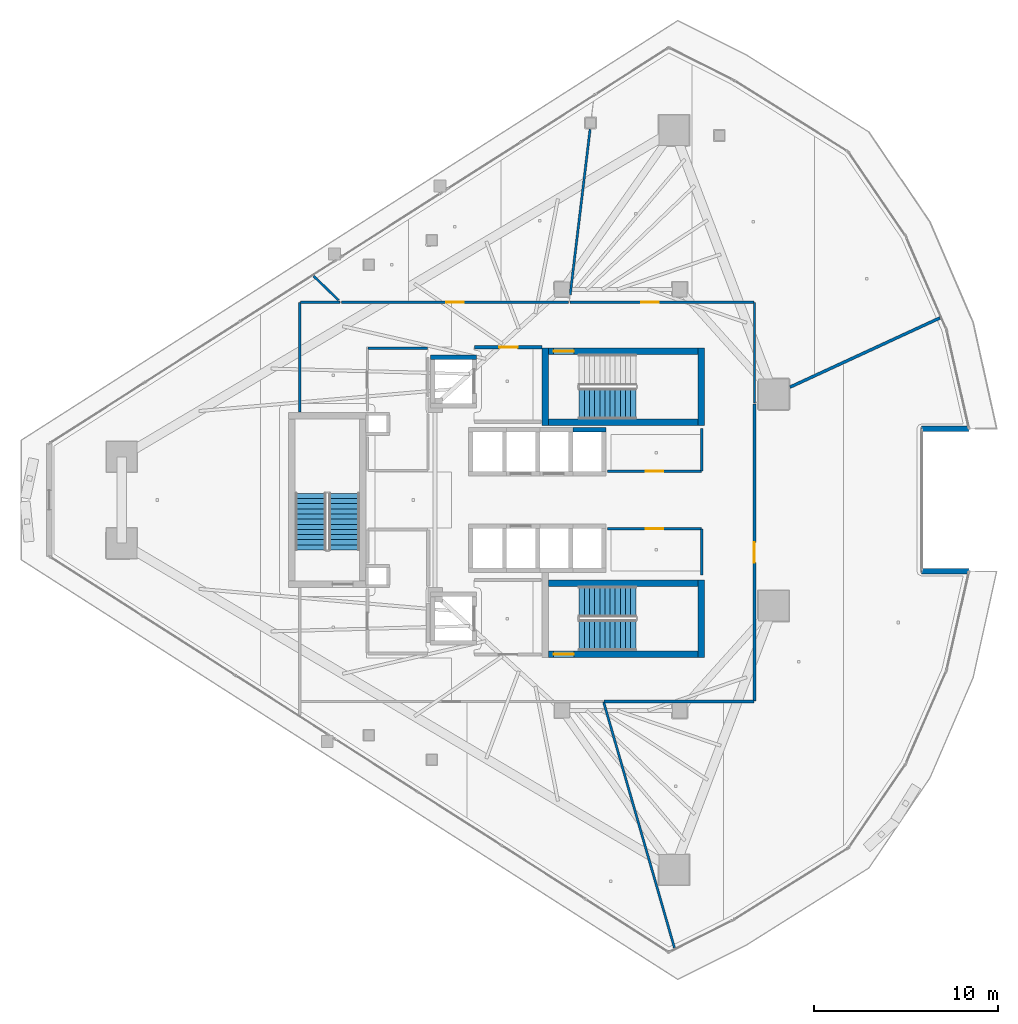
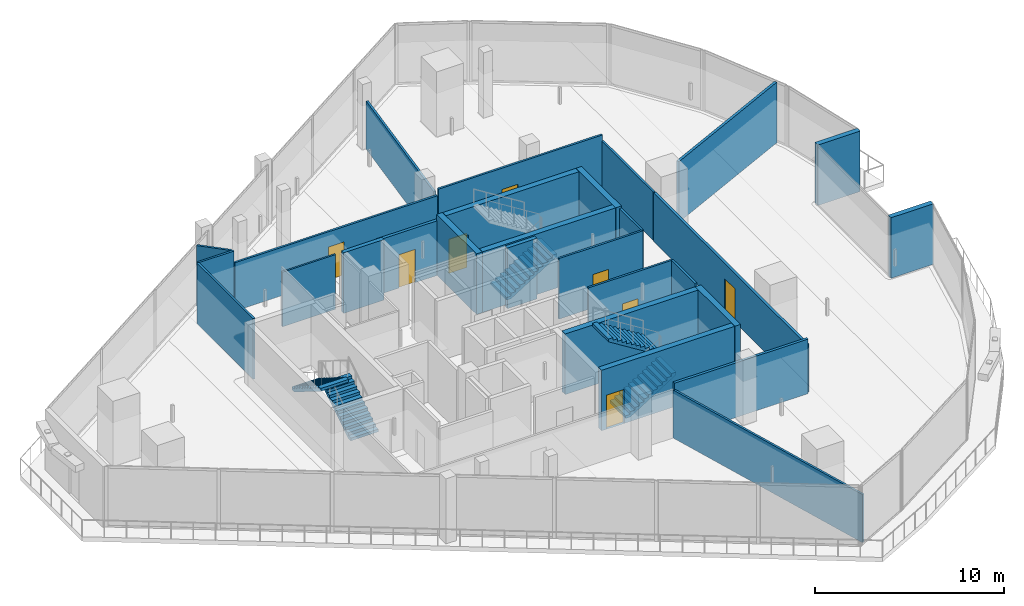
# One storey, part 22 of 31: 28 walls, 8 doors, 5 stair flights, 8 openings, 3 elements without a shape of their own.
"""IFC4 building model written with IfcOpenShell, lengths in metres."""

from ifc_helpers import new_model, si_unit, direction, frame, frame_2d, origin, place, context, subcontext, project, spatial, polyline, rectangle, outline, extrude, material, layer, layer_set, type_object, element, fill, aggregate, save


model = new_model("IFC4")

# Units and contexts
model_context = context("Model", 3, precision=1e-05, world=origin(), true_north=direction((0.0, 1.0)))
body_context = subcontext(model_context, "Body", "Model", "MODEL_VIEW")
ifc_project = project(units=[si_unit("LENGTHUNIT", "METRE"), si_unit("AREAUNIT", "SQUARE_METRE"), si_unit("VOLUMEUNIT", "CUBIC_METRE"), si_unit("PLANEANGLEUNIT", "RADIAN"), si_unit("MASSUNIT", "GRAM", prefix="KILO")], contexts=[model_context])

# Site, building, storey
site_placement = place(None, origin())
site = spatial("IfcSite", under=ifc_project, at=site_placement, CompositionType="ELEMENT")
building_placement = place(site_placement, origin())
building = spatial("IfcBuilding", under=site, at=building_placement, Name="Qorvath Tower", CompositionType="ELEMENT")
storey_placement = place(building_placement, frame((0.0, 0.0, 259.800048828125)))
storey = spatial("IfcBuildingStorey", under=building, at=storey_placement, Name="L60", CompositionType="ELEMENT", Elevation=259.800048828125)

# Wall, opening, door
ifc_material_1 = material(Name="Gypsum shaftliner on steel studs", Category="steel")
ifc_layer_1 = layer(ifc_material_1, 0.179931640625)
ifc_layer_set_1 = layer_set([ifc_layer_1], Name="FW-LOBBY")
wall_type_1 = type_object("IfcWallType", Name="FW-LOBBY", PredefinedType="PARTITIONING", material=ifc_layer_set_1)
wall_1_placement = place(storey_placement, frame((-24.68408203125, 8.300048828125, 0.0), z_axis=(0.0, 0.0, 1.0), x_axis=(-1.0, 0.0, 0.0)))
wall_1 = element("IfcWall", 1, at=wall_1_placement, inside=storey, type_object=wall_type_1, Name="Interior Partition IW-T1-L60-002", PredefinedType="PARTITIONING", context=body_context, shape_type="SweptSolid", body=[
    extrude(rectangle(XDim=3.6708984375, YDim=0.179931640625, at=frame_2d((1.83544921875, 0.0))), origin(), (0.0, 0.0, 1.0), 3.52880859375),
])
opening_1_placement = place(wall_1_placement, frame((1.33544921875, 0.0, 0.0)))
opening_1 = element("IfcOpeningElement", 2, at=opening_1_placement, cuts=wall_1, Name="Opening D-T1-L60-09", PredefinedType="OPENING", context=body_context, shape_type="SweptSolid", body=[
    extrude(rectangle(XDim=1.0, YDim=2.14990234375, at=frame_2d((0.5, 1.074951171875))), frame((0.0, 0.10009765625, 0.0), z_axis=(0.0, -1.0, 0.0), x_axis=(1.0, 0.0, 0.0)), (0.0, 0.0, 1.0), 0.199951171875),
])
ifc_material_2 = material(Name="Painted galvanised hollow metal", Category="steel")
door_type_1 = type_object("IfcDoorType", Name="FD-60", OperationType="NOTDEFINED", PredefinedType="DOOR", material=ifc_material_2)
door_1_placement = place(opening_1_placement, origin())
door_1 = element("IfcDoor", 3, at=door_1_placement, inside=storey, type_object=door_type_1, Name="Lobby Fire Service Elevator North Door D-T1-L60-09", OperationType="SINGLE_SWING_LEFT", OverallHeight=2.14990234375, OverallWidth=1.0, PredefinedType="DOOR", context=body_context, shape_type="SweptSolid", body=[
    extrude(rectangle(XDim=1.0, YDim=2.14990234375, at=frame_2d((0.5, 1.074951171875))), frame((0.0, 0.02490234375, 0.0), z_axis=(0.0, -1.0, 0.0), x_axis=(1.0, 0.0, 0.0)), (0.0, 0.0, 1.0), 0.050048828125),
])
fill(opening_1, door_1)

ifc_material_3 = material(Name="Double acoustic gypsum board on steel studs", Category="steel")
ifc_layer_2 = layer(ifc_material_3, 0.159912109375)
ifc_layer_set_2 = layer_set([ifc_layer_2], Name="IW-ACOUSTIC-160")
wall_type_2 = type_object("IfcWallType", Name="IW-ACOUSTIC-160", PredefinedType="PARTITIONING", material=ifc_layer_set_2)
wall_2_placement = place(storey_placement, frame((-13.14208984375, 5.2177734375, 0.0), z_axis=(0.0, 0.0, 1.0), x_axis=(0.0, -1.0, 0.0)))
wall_2 = element("IfcWall", 4, at=wall_2_placement, inside=storey, type_object=wall_type_2, Name="Interior Partition IW-T1-L60-027", PredefinedType="PARTITIONING", context=body_context, shape_type="SweptSolid", body=[
    extrude(rectangle(XDim=16.15087890625, YDim=0.159912109375, at=frame_2d((8.075439453125, 0.0))), origin(), (0.0, 0.0, 1.0), 3.1298828125),
])
opening_2_placement = place(wall_2_placement, frame((7.525390625, 0.0, 0.0)))
opening_2 = element("IfcOpeningElement", 5, at=opening_2_placement, cuts=wall_2, Name="Opening D-T1-L60-06", PredefinedType="OPENING", context=body_context, shape_type="SweptSolid", body=[
    extrude(rectangle(XDim=1.10009765625, YDim=2.14990234375, at=frame_2d((0.550048828125, 1.074951171875))), frame((0.0, 0.08984375, 0.0), z_axis=(0.0, -1.0, 0.0), x_axis=(1.0, 0.0, 0.0)), (0.0, 0.0, 1.0), 0.179931640625),
])
ifc_material_4 = material(Name="Anodised aluminium acoustic framed glass", Category="aluminium")
door_type_2 = type_object("IfcDoorType", Name="D-03", OperationType="NOTDEFINED", PredefinedType="DOOR", material=ifc_material_4)
door_2_placement = place(opening_2_placement, origin())
door_2 = element("IfcDoor", 6, at=door_2_placement, inside=storey, type_object=door_type_2, Name="L60-02 Enclosed Conference Suite Door D-T1-L60-06", OperationType="SINGLE_SWING_RIGHT", OverallHeight=2.14990234375, OverallWidth=1.10009765625, PredefinedType="DOOR", context=body_context, shape_type="SweptSolid", body=[
    extrude(rectangle(XDim=1.10009765625, YDim=2.14990234375, at=frame_2d((0.550048828125, 1.074951171875))), frame((0.0, 0.02490234375, 0.0), z_axis=(0.0, -1.0, 0.0), x_axis=(1.0, 0.0, 0.0)), (0.0, 0.0, 1.0), 0.050048828125),
])
fill(opening_2, door_2)

# Walls
wall_3_placement = place(storey_placement, frame((-21.31201171875, -10.9580078125, 0.0), z_axis=(0.0, 0.0, 1.0), x_axis=(1.0, 0.0, 0.0)))
element("IfcWall", 7, at=wall_3_placement, inside=storey, type_object=wall_type_2, Name="Interior Partition IW-T1-L60-028", PredefinedType="PARTITIONING", context=body_context, shape_type="SweptSolid", body=[
    extrude(rectangle(XDim=8.14501953125, YDim=0.159912109375, at=frame_2d((4.072509765625, 0.0))), origin(), (0.0, 0.0, 1.0), 3.52880859375),
])
wall_4_placement = place(storey_placement, frame((-3.059326171875, 9.89697265625, 0.0), z_axis=(0.0, 0.0, 1.0), x_axis=(-0.907934704676, -0.419111646276, 0.0)))
element("IfcWall", 8, at=wall_4_placement, inside=storey, type_object=wall_type_2, Name="Interior Partition IW-T1-L60-029", PredefinedType="PARTITIONING", context=body_context, shape_type="SweptSolid", body=[
    extrude(rectangle(XDim=8.97607421875, YDim=0.159912109375, at=frame_2d((4.488037109375, 0.0))), origin(), (0.0, 0.0, 1.0), 3.909912109375),
])

# Wall, opening, door
ifc_material_5 = material(Name="Gypsum board on metal studs with mineral wool", Category="gypsum")
ifc_layer_3 = layer(ifc_material_5, 0.125)
ifc_layer_set_3 = layer_set([ifc_layer_3], Name="IW-PART-125")
wall_type_3 = type_object("IfcWallType", Name="IW-PART-125", PredefinedType="PARTITIONING", material=ifc_layer_set_3)
wall_5_placement = place(storey_placement, frame((-21.1337890625, 1.56005859375, 0.0), z_axis=(0.0, 0.0, 1.0), x_axis=(1.0, 0.0, 0.0)))
wall_5 = element("IfcWall", 9, at=wall_5_placement, inside=storey, type_object=wall_type_3, Name="Interior Partition IW-T1-L60-011", PredefinedType="PARTITIONING", context=body_context, shape_type="SweptSolid", body=[
    extrude(rectangle(XDim=5.10888671875, YDim=0.125, at=frame_2d((2.554443359375, 0.0))), origin(), (0.0, 0.0, 1.0), 3.909912109375),
])
opening_3_placement = place(wall_5_placement, frame((2.079345703125, 0.0, 0.0)))
opening_3 = element("IfcOpeningElement", 10, at=opening_3_placement, cuts=wall_5, Name="Opening D-T1-L60-02", PredefinedType="OPENING", context=body_context, shape_type="SweptSolid", body=[
    extrude(rectangle(XDim=0.949951171875, YDim=2.14990234375, at=frame_2d((0.47509765625, 1.074951171875))), frame((0.0, 0.072509765625, 0.0), z_axis=(0.0, -1.0, 0.0), x_axis=(1.0, 0.0, 0.0)), (0.0, 0.0, 1.0), 0.14501953125),
])
ifc_material_6 = material(Name="Solid-core American white oak veneer", Category="wood")
door_type_3 = type_object("IfcDoorType", Name="D-01", OperationType="NOTDEFINED", PredefinedType="DOOR", material=ifc_material_6)
door_3_placement = place(opening_3_placement, origin())
door_3 = element("IfcDoor", 11, at=door_3_placement, inside=storey, type_object=door_type_3, Name="L60-RCN North Quantitative Server Suite Door D-T1-L60-02", OperationType="SINGLE_SWING_RIGHT", OverallHeight=2.14990234375, OverallWidth=0.949951171875, PredefinedType="DOOR", context=body_context, shape_type="SweptSolid", body=[
    extrude(rectangle(XDim=0.949951171875, YDim=2.14990234375, at=frame_2d((0.47509765625, 1.074951171875))), frame((0.0, 0.02490234375, 0.0), z_axis=(0.0, -1.0, 0.0), x_axis=(1.0, 0.0, 0.0)), (0.0, 0.0, 1.0), 0.050048828125),
])
fill(opening_3, door_3)

# Walls
wall_6_placement = place(storey_placement, frame((-16.0, 1.585205078125, 0.0), z_axis=(0.0, 0.0, 1.0), x_axis=(0.0, 1.0, 0.0)))
element("IfcWall", 12, at=wall_6_placement, inside=storey, type_object=wall_type_3, Name="Interior Partition IW-T1-L60-012", PredefinedType="PARTITIONING", context=body_context, shape_type="SweptSolid", body=[
    extrude(rectangle(XDim=2.30224609375, YDim=0.125, at=frame_2d((1.151123046875, 0.0))), origin(), (0.0, 0.0, 1.0), 3.909912109375),
])
wall_7_placement = place(storey_placement, frame((-16.0, -4.0751953125, 0.0), z_axis=(0.0, 0.0, 1.0), x_axis=(0.0, 1.0, 0.0)))
element("IfcWall", 13, at=wall_7_placement, inside=storey, type_object=wall_type_3, Name="Interior Partition IW-T1-L60-013", PredefinedType="PARTITIONING", context=body_context, shape_type="SweptSolid", body=[
    extrude(rectangle(XDim=2.489990234375, YDim=0.125, at=frame_2d((1.2451171875, 0.0))), origin(), (0.0, 0.0, 1.0), 3.909912109375),
])

# Wall, opening, door
wall_8_placement = place(storey_placement, frame((-16.02490234375, -1.56005859375, 0.0), z_axis=(0.0, 0.0, 1.0), x_axis=(-1.0, 0.0, 0.0)))
wall_8 = element("IfcWall", 14, at=wall_8_placement, inside=storey, type_object=wall_type_3, Name="Interior Partition IW-T1-L60-014", PredefinedType="PARTITIONING", context=body_context, shape_type="SweptSolid", body=[
    extrude(rectangle(XDim=5.10888671875, YDim=0.125, at=frame_2d((2.554443359375, 0.0))), origin(), (0.0, 0.0, 1.0), 3.909912109375),
])
opening_4_placement = place(wall_8_placement, frame((2.079345703125, 0.0, 0.0)))
opening_4 = element("IfcOpeningElement", 15, at=opening_4_placement, cuts=wall_8, Name="Opening D-T1-L60-03", PredefinedType="OPENING", context=body_context, shape_type="SweptSolid", body=[
    extrude(rectangle(XDim=0.949951171875, YDim=2.14990234375, at=frame_2d((0.47509765625, 1.074951171875))), frame((0.0, 0.072509765625, 0.0), z_axis=(0.0, -1.0, 0.0), x_axis=(1.0, 0.0, 0.0)), (0.0, 0.0, 1.0), 0.14501953125),
])
door_4_placement = place(opening_4_placement, origin())
door_4 = element("IfcDoor", 16, at=door_4_placement, inside=storey, type_object=door_type_3, Name="L60-RCS South Quantitative Server Suite Door D-T1-L60-03", OperationType="SINGLE_SWING_LEFT", OverallHeight=2.14990234375, OverallWidth=0.949951171875, PredefinedType="DOOR", context=body_context, shape_type="SweptSolid", body=[
    extrude(rectangle(XDim=0.949951171875, YDim=2.14990234375, at=frame_2d((0.47509765625, 1.074951171875))), frame((0.0, 0.02490234375, 0.0), z_axis=(0.0, -1.0, 0.0), x_axis=(1.0, 0.0, 0.0)), (0.0, 0.0, 1.0), 0.050048828125),
])
fill(opening_4, door_4)

# Walls
wall_9_placement = place(storey_placement, frame((-37.85791015625, 10.733154296875, 0.0), z_axis=(0.0, 0.0, 1.0), x_axis=(0.0, -1.0, 0.0)))
element("IfcWall", 17, at=wall_9_placement, inside=storey, type_object=wall_type_3, Name="Interior Partition IW-T1-L60-023", PredefinedType="PARTITIONING", context=body_context, shape_type="SweptSolid", body=[
    extrude(rectangle(XDim=5.949951171875, YDim=0.125, at=frame_2d((2.97509765625, 0.0))), origin(), (0.0, 0.0, 1.0), 3.909912109375),
])
wall_10_placement = place(storey_placement, frame((-35.6650390625, 10.758056640625, 0.0), z_axis=(0.0, 0.0, 1.0), x_axis=(-1.0, 0.0, 0.0)))
element("IfcWall", 18, at=wall_10_placement, inside=storey, type_object=wall_type_3, Name="Interior Partition IW-T1-L60-024", PredefinedType="PARTITIONING", context=body_context, shape_type="SweptSolid", body=[
    extrude(rectangle(XDim=2.16796875, YDim=0.125, at=frame_2d((1.083984375, 0.0))), origin(), (0.0, 0.0, 1.0), 3.909912109375),
])
wall_11_placement = place(storey_placement, frame((-35.74609375, 10.8603515625, 0.0), z_axis=(0.0, 0.0, 1.0), x_axis=(-0.719327666051, 0.694670935662, 0.0)))
element("IfcWall", 19, at=wall_11_placement, inside=storey, type_object=wall_type_3, Name="Interior Partition IW-T1-L60-025", PredefinedType="PARTITIONING", context=body_context, shape_type="SweptSolid", body=[
    extrude(rectangle(XDim=1.88134765625, YDim=0.125, at=frame_2d((0.940673828125, 0.0))), origin(), (0.0, 0.0, 1.0), 3.909912109375),
])
wall_12_placement = place(storey_placement, frame((-17.489990234375, -24.3486328125, 0.0), z_axis=(0.0, 0.0, 1.0), x_axis=(-0.276670145559, 0.960964947621, 0.0)))
element("IfcWall", 20, at=wall_12_placement, inside=storey, type_object=wall_type_3, Name="Interior Partition IW-T1-L60-026", PredefinedType="PARTITIONING", context=body_context, shape_type="SweptSolid", body=[
    extrude(rectangle(XDim=13.90966796875, YDim=0.125, at=frame_2d((6.954833984375, 0.0))), origin(), (0.0, 0.0, 1.0), 3.10693359375),
])

# Wall, opening, door
wall_13_placement = place(storey_placement, frame((-23.180419921875, 10.758056640625, 0.0), z_axis=(0.0, 0.0, 1.0), x_axis=(1.0, 0.0, 0.0)))
wall_13 = element("IfcWall", 21, at=wall_13_placement, inside=storey, type_object=wall_type_3, Name="Interior Partition IW-T1-L60-030", PredefinedType="PARTITIONING", context=body_context, shape_type="SweptSolid", body=[
    extrude(rectangle(XDim=10.013427734375, YDim=0.125, at=frame_2d((5.0068359375, 0.0))), origin(), (0.0, 0.0, 1.0), 3.52880859375),
])
opening_5_placement = place(wall_13_placement, frame((3.88427734375, 0.0, 0.0)))
opening_5 = element("IfcOpeningElement", 22, at=opening_5_placement, cuts=wall_13, Name="Opening D-T1-L60-07", PredefinedType="OPENING", context=body_context, shape_type="SweptSolid", body=[
    extrude(rectangle(XDim=0.949951171875, YDim=2.14990234375, at=frame_2d((0.47509765625, 1.074951171875))), frame((0.0, 0.072509765625, 0.0), z_axis=(0.0, -1.0, 0.0), x_axis=(1.0, 0.0, 0.0)), (0.0, 0.0, 1.0), 0.14501953125),
])
door_5_placement = place(opening_5_placement, origin())
door_5 = element("IfcDoor", 23, at=door_5_placement, inside=storey, type_object=door_type_3, Name="L60-03 Focus Collaboration Pod Door D-T1-L60-07", OperationType="SINGLE_SWING_LEFT", OverallHeight=2.14990234375, OverallWidth=0.949951171875, PredefinedType="DOOR", context=body_context, shape_type="SweptSolid", body=[
    extrude(rectangle(XDim=0.949951171875, YDim=2.14990234375, at=frame_2d((0.47509765625, 1.074951171875))), frame((0.0, 0.02490234375, 0.0), z_axis=(0.0, -1.0, 0.0), x_axis=(1.0, 0.0, 0.0)), (0.0, 0.0, 1.0), 0.050048828125),
])
fill(opening_5, door_5)

# Walls
wall_14_placement = place(storey_placement, frame((-13.14208984375, 5.276611328125, 0.0), z_axis=(0.0, 0.0, 1.0), x_axis=(0.0, 1.0, 0.0)))
element("IfcWall", 24, at=wall_14_placement, inside=storey, type_object=wall_type_3, Name="Interior Partition IW-T1-L60-031", PredefinedType="PARTITIONING", context=body_context, shape_type="SweptSolid", body=[
    extrude(rectangle(XDim=5.45654296875, YDim=0.125, at=frame_2d((2.728271484375, 0.0))), origin(), (0.0, 0.0, 1.0), 3.1298828125),
])
wall_15_placement = place(storey_placement, frame((-22.074462890625, 20.155029296875, 0.0), z_axis=(0.0, 0.0, 1.0), x_axis=(-0.119476721167, -0.992837002281, 0.0)))
element("IfcWall", 25, at=wall_15_placement, inside=storey, type_object=wall_type_3, Name="Interior Partition IW-T1-L60-032", PredefinedType="PARTITIONING", context=body_context, shape_type="SweptSolid", body=[
    extrude(rectangle(XDim=9.060546875, YDim=0.125, at=frame_2d((4.5302734375, 0.0))), origin(), (0.0, 0.0, 1.0), 3.10693359375),
])

# Wall, opening, door
wall_16_placement = place(storey_placement, frame((-35.603759765625, 10.758056640625, 0.0), z_axis=(0.0, 0.0, 1.0), x_axis=(1.0, 0.0, 0.0)))
wall_16 = element("IfcWall", 26, at=wall_16_placement, inside=storey, type_object=wall_type_3, Name="Interior Partition IW-T1-L60-033", PredefinedType="PARTITIONING", context=body_context, shape_type="SweptSolid", body=[
    extrude(rectangle(XDim=12.365478515625, YDim=0.125, at=frame_2d((6.1826171875, 0.0))), origin(), (0.0, 0.0, 1.0), 3.1298828125),
])
opening_6_placement = place(wall_16_placement, frame((5.707763671875, 0.0, 0.0)))
opening_6 = element("IfcOpeningElement", 27, at=opening_6_placement, cuts=wall_16, Name="Opening D-T1-L60-08", PredefinedType="OPENING", context=body_context, shape_type="SweptSolid", body=[
    extrude(rectangle(XDim=0.949951171875, YDim=2.14990234375, at=frame_2d((0.47509765625, 1.074951171875))), frame((0.0, 0.072509765625, 0.0), z_axis=(0.0, -1.0, 0.0), x_axis=(1.0, 0.0, 0.0)), (0.0, 0.0, 1.0), 0.14501953125),
])
door_6_placement = place(opening_6_placement, origin())
door_6 = element("IfcDoor", 28, at=door_6_placement, inside=storey, type_object=door_type_3, Name="L60-04 Staff Refreshment Pantry and Coffee Bar Door D-T1-L60-08", OperationType="SINGLE_SWING_RIGHT", OverallHeight=2.14990234375, OverallWidth=0.949951171875, PredefinedType="DOOR", context=body_context, shape_type="SweptSolid", body=[
    extrude(rectangle(XDim=0.949951171875, YDim=2.14990234375, at=frame_2d((0.47509765625, 1.074951171875))), frame((0.0, 0.02490234375, 0.0), z_axis=(0.0, -1.0, 0.0), x_axis=(1.0, 0.0, 0.0)), (0.0, 0.0, 1.0), 0.050048828125),
])
fill(opening_6, door_6)

# Walls
ifc_material_7 = material(Name="Moisture-resistant cement board on metal studs", Category="gypsum")
ifc_layer_4 = layer(ifc_material_7, 0.110107421875)
ifc_layer_set_4 = layer_set([ifc_layer_4], Name="IW-WC-110")
wall_type_4 = type_object("IfcWallType", Name="IW-WC-110", PredefinedType="PARTITIONING", material=ifc_layer_set_4)
wall_17_placement = place(storey_placement, frame((-30.90478515625, 8.25, 0.0), z_axis=(0.0, 0.0, 1.0), x_axis=(-1.0, 0.0, 0.0)))
element("IfcWall", 29, at=wall_17_placement, inside=storey, type_object=wall_type_4, Name="Interior Partition IW-T1-L60-008", PredefinedType="PARTITIONING", context=body_context, shape_type="SweptSolid", body=[
    extrude(rectangle(XDim=3.25, YDim=0.110107421875, at=frame_2d((1.625, 0.0))), origin(), (0.0, 0.0, 1.0), 3.52880859375),
])
ifc_material_8 = material(Name="Concrete C60/75", Category="concrete")
ifc_layer_5 = layer(ifc_material_8, 0.260009765625)
ifc_layer_set_5 = layer_set([ifc_layer_5], Name="SW-SHAFT")
wall_type_5 = type_object("IfcWallType", Name="SW-SHAFT", PredefinedType="SHEAR", material=ifc_layer_set_5)
wall_18_placement = place(storey_placement, frame((-30.739990234375, 7.77001953125, 0.0), z_axis=(0.0, 0.0, 1.0), x_axis=(1.0, 0.0, 0.0)))
element("IfcWall", 30, at=wall_18_placement, inside=storey, type_object=wall_type_5, Name="Hoistway Wall FSAE-1 L60 N", PredefinedType="SHEAR", context=body_context, shape_type="SweptSolid", body=[
    extrude(rectangle(XDim=2.47998046875, YDim=0.239990234375, at=frame_2d((1.239990234375, 0.0))), origin(), (0.0, 0.0, 1.0), 3.909912109375),
])
wall_19_placement = place(storey_placement, frame((-23.010009765625, 3.820068359375, 0.0), z_axis=(0.0, 0.0, 1.0), x_axis=(1.0, 0.0, 0.0)))
element("IfcWall", 31, at=wall_19_placement, inside=storey, type_object=wall_type_5, Name="Hoistway Wall PU-1 L60 N", PredefinedType="SHEAR", context=body_context, shape_type="SweptSolid", body=[
    extrude(rectangle(XDim=1.800048828125, YDim=0.239990234375, at=frame_2d((0.89990234375, 0.0))), origin(), (0.0, 0.0, 1.0), 3.909912109375),
])
ifc_material_9 = material(Name="Concrete C60/75", Category="concrete")
ifc_layer_6 = layer(ifc_material_9, 0.35009765625)
ifc_layer_set_6 = layer_set([ifc_layer_6], Name="SW-STAIR")
wall_type_6 = type_object("IfcWallType", Name="SW-STAIR", PredefinedType="SHEAR", material=ifc_layer_set_6)
for number, where, z_axis, x_axis, name in (
    (32, (-24.52490234375, 8.260009765625, 0.0), (0.0, 0.0, 1.0), (0.0, -1.0, 0.0), "Stair TS1 Shear Wall L60 NEAR"),
    (33, (-16.02490234375, 4.050048828125, 0.0), (0.0, 0.0, 1.0), (0.0, 1.0, 0.0), "Stair TS1 Shear Wall L60 FAR"),
):
    element("IfcWall", number, at=place(storey_placement, frame(where, z_axis=z_axis, x_axis=x_axis)), inside=storey, type_object=wall_type_6, Name=name, PredefinedType="SHEAR", context=body_context, shape_type="SweptSolid", body=[
        extrude(rectangle(XDim=4.2099609375, YDim=0.35009765625, at=frame_2d((2.10498046875, 0.0))), origin(), (0.0, 0.0, 1.0), 3.909912109375),
    ])
wall_20_placement = place(storey_placement, frame((-24.3349609375, 4.22509765625, 0.0), z_axis=(0.0, 0.0, 1.0), x_axis=(1.0, 0.0, 0.0)))
element("IfcWall", 34, at=wall_20_placement, inside=storey, type_object=wall_type_6, Name="Stair TS1 Shear Wall L60 LEFT", PredefinedType="SHEAR", context=body_context, shape_type="SweptSolid", body=[
    extrude(rectangle(XDim=8.119873046875, YDim=0.35009765625, at=frame_2d((4.06005859375, 0.0))), origin(), (0.0, 0.0, 1.0), 3.909912109375),
])

# Wall, opening, door
wall_21_placement = place(storey_placement, frame((-16.215087890625, 8.0849609375, 0.0), z_axis=(0.0, 0.0, 1.0), x_axis=(-1.0, 0.0, 0.0)))
wall_21 = element("IfcWall", 35, at=wall_21_placement, inside=storey, type_object=wall_type_6, Name="Stair TS1 Shear Wall L60 RIGHT", PredefinedType="SHEAR", context=body_context, shape_type="SweptSolid", body=[
    extrude(rectangle(XDim=8.119873046875, YDim=0.35009765625, at=frame_2d((4.06005859375, 0.0))), origin(), (0.0, 0.0, 1.0), 3.909912109375),
])
opening_7_placement = place(wall_21_placement, frame((6.739990234375, 0.0, 0.0)))
opening_7 = element("IfcOpeningElement", 36, at=opening_7_placement, cuts=wall_21, Name="Opening D-TS1-L60", PredefinedType="OPENING", context=body_context, shape_type="SweptSolid", body=[
    extrude(rectangle(XDim=1.10009765625, YDim=2.199951171875, at=frame_2d((0.550048828125, 1.10009765625))), frame((0.0, 0.18505859375, 0.0), z_axis=(0.0, -1.0, 0.0), x_axis=(1.0, 0.0, 0.0)), (0.0, 0.0, 1.0), 0.3701171875),
])
ifc_material_10 = material(Name="Painted galvanised hollow metal", Category="steel")
door_type_4 = type_object("IfcDoorType", Name="FD-90", OperationType="NOTDEFINED", PredefinedType="DOOR", material=ifc_material_10)
door_7_placement = place(opening_7_placement, origin())
door_7 = element("IfcDoor", 37, at=door_7_placement, inside=storey, type_object=door_type_4, Name="Stair TS1 Fire Door L60", OperationType="SINGLE_SWING_LEFT", OverallHeight=2.199951171875, OverallWidth=1.10009765625, PredefinedType="DOOR", context=body_context, shape_type="SweptSolid", body=[
    extrude(rectangle(XDim=1.10009765625, YDim=2.199951171875, at=frame_2d((0.550048828125, 1.10009765625))), frame((0.0, 0.02490234375, 0.0), z_axis=(0.0, -1.0, 0.0), x_axis=(1.0, 0.0, 0.0)), (0.0, 0.0, 1.0), 0.050048828125),
])
fill(opening_7, door_7)

# Wall
wall_22_placement = place(storey_placement, frame((-16.02490234375, -8.550048828125, 0.0), z_axis=(0.0, 0.0, 1.0), x_axis=(0.0, 1.0, 0.0)))
element("IfcWall", 38, at=wall_22_placement, inside=storey, type_object=wall_type_6, Name="Stair TS2 Shear Wall L60 FAR", PredefinedType="SHEAR", context=body_context, shape_type="SweptSolid", body=[
    extrude(rectangle(XDim=4.2099609375, YDim=0.35009765625, at=frame_2d((2.10498046875, 0.0))), origin(), (0.0, 0.0, 1.0), 3.909912109375),
])

# Wall, opening, door
wall_23_placement = place(storey_placement, frame((-24.3349609375, -8.375, 0.0), z_axis=(0.0, 0.0, 1.0), x_axis=(1.0, 0.0, 0.0)))
wall_23 = element("IfcWall", 39, at=wall_23_placement, inside=storey, type_object=wall_type_6, Name="Stair TS2 Shear Wall L60 LEFT", PredefinedType="SHEAR", context=body_context, shape_type="SweptSolid", body=[
    extrude(rectangle(XDim=8.119873046875, YDim=0.35009765625, at=frame_2d((4.06005859375, 0.0))), origin(), (0.0, 0.0, 1.0), 3.909912109375),
])
opening_8_placement = place(wall_23_placement, frame((0.280029296875, 0.0, 0.0)))
opening_8 = element("IfcOpeningElement", 40, at=opening_8_placement, cuts=wall_23, Name="Opening D-TS2-L60", PredefinedType="OPENING", context=body_context, shape_type="SweptSolid", body=[
    extrude(rectangle(XDim=1.10009765625, YDim=2.199951171875, at=frame_2d((0.550048828125, 1.10009765625))), frame((0.0, 0.18505859375, 0.0), z_axis=(0.0, -1.0, 0.0), x_axis=(1.0, 0.0, 0.0)), (0.0, 0.0, 1.0), 0.3701171875),
])
door_8_placement = place(opening_8_placement, origin())
door_8 = element("IfcDoor", 41, at=door_8_placement, inside=storey, type_object=door_type_4, Name="Stair TS2 Fire Door L60", OperationType="SINGLE_SWING_LEFT", OverallHeight=2.199951171875, OverallWidth=1.10009765625, PredefinedType="DOOR", context=body_context, shape_type="SweptSolid", body=[
    extrude(rectangle(XDim=1.10009765625, YDim=2.199951171875, at=frame_2d((0.550048828125, 1.10009765625))), frame((0.0, 0.02490234375, 0.0), z_axis=(0.0, -1.0, 0.0), x_axis=(1.0, 0.0, 0.0)), (0.0, 0.0, 1.0), 0.050048828125),
])
fill(opening_8, door_8)

# Walls
wall_24_placement = place(storey_placement, frame((-16.215087890625, -4.514892578125, 0.0), z_axis=(0.0, 0.0, 1.0), x_axis=(-1.0, 0.0, 0.0)))
element("IfcWall", 42, at=wall_24_placement, inside=storey, type_object=wall_type_6, Name="Stair TS2 Shear Wall L60 RIGHT", PredefinedType="SHEAR", context=body_context, shape_type="SweptSolid", body=[
    extrude(rectangle(XDim=8.119873046875, YDim=0.35009765625, at=frame_2d((4.06005859375, 0.0))), origin(), (0.0, 0.0, 1.0), 3.909912109375),
])
ifc_material_11 = material(Name="Precast concrete C45/55", Category="concrete")
ifc_layer_7 = layer(ifc_material_11, 0.300048828125)
ifc_layer_set_7 = layer_set([ifc_layer_7], Name="WL-EW-LOG-300")
wall_type_7 = type_object("IfcWallType", Name="WL-EW-LOG-300", PredefinedType="SOLIDWALL", material=ifc_layer_set_7)
for number, where, z_axis, x_axis, name in (
    (43, (-1.466796875, -3.871826171875, 0.0), (0.0, 0.0, 1.0), (-1.0, 0.0, 0.0), "Tower Precast Loggia Wall L60-8.1"),
    (44, (-4.0478515625, 3.871826171875, 0.0), (0.0, 0.0, 1.0), (1.0, 0.0, 0.0), "Tower Precast Loggia Wall L60-10.1"),
):
    element("IfcWall", number, at=place(storey_placement, frame(where, z_axis=z_axis, x_axis=x_axis)), inside=storey, type_object=wall_type_7, Name=name, PredefinedType="SOLIDWALL", context=body_context, shape_type="SweptSolid", body=[
        extrude(rectangle(XDim=2.5810546875, YDim=0.300048828125, at=frame_2d((1.29052734375, 0.0))), origin(), (0.0, 0.0, 1.0), 3.909912109375),
    ])

# Stair, stair flight
ifc_material_12 = material(Name="Concrete C50/60", Category="concrete")
stair_type = type_object("IfcStairType", Name="ST-H420", PredefinedType="HALF_TURN_STAIR", material=ifc_material_12)
stair_1_placement = place(storey_placement, origin())
stair_1 = element("IfcStair", 45, at=stair_1_placement, inside=storey, type_object=stair_type, Name="L60 Tower Exit Stair 1", PredefinedType="HALF_TURN_STAIR")
ifc_material_13 = material(Name="Concrete C50/60", Category="concrete")
ifc_layer_8 = layer(ifc_material_13, 0.14990234375)
ifc_layer_set_8 = layer_set([ifc_layer_8], Name="SF-H420")
stair_flight_type = type_object("IfcStairFlightType", Name="SF-H420", PredefinedType="STRAIGHT", material=ifc_layer_set_8)
stair_flight_1_placement = place(storey_placement, frame((-22.669921875, 5.239990234375, 0.0), z_axis=(0.0, 0.0, 1.0), x_axis=(1.0, 0.0, 0.0)))
stair_flight_1 = element("IfcStairFlight", 46, at=stair_flight_1_placement, type_object=stair_flight_type, Name="TS1 flight 1", NumberOfRisers=12, NumberOfTreads=11, PredefinedType="STRAIGHT", RiserHeight=0.175, TreadLength=0.28, context=body_context, shape_type="SweptSolid", body=[
    extrude(outline(polyline([(0.0, 0.0), (0.0, 0.175048828125), (0.280029296875, 0.175048828125), (0.280029296875, 0.35009765625), (0.56005859375, 0.35009765625), (0.56005859375, 0.52490234375), (0.840087890625, 0.52490234375), (0.840087890625, 0.699951171875), (1.1201171875, 0.699951171875), (1.1201171875, 0.875), (1.39990234375, 0.875), (1.39990234375, 1.050048828125), (1.679931640625, 1.050048828125), (1.679931640625, 1.22509765625), (1.9599609375, 1.22509765625), (1.9599609375, 1.39990234375), (2.239990234375, 1.39990234375), (2.239990234375, 1.574951171875), (2.52001953125, 1.574951171875), (2.52001953125, 1.75), (2.800048828125, 1.75), (2.800048828125, 1.925048828125), (3.080078125, 1.925048828125), (3.080078125, 2.10009765625), (3.080078125, 1.748291015625), (0.28271484375, 0.0), (0.0, 0.0)])), frame((0.0, 0.83984375, 0.0), z_axis=(0.0, -1.0, 0.0), x_axis=(1.0, 0.0, 0.0)), (0.0, 0.0, 1.0), 1.679931640625),
])
aggregate(stair_1, [stair_flight_1])

# Stair, stair flights
stair_2_placement = place(storey_placement, origin())
stair_2 = element("IfcStair", 47, at=stair_2_placement, inside=storey, type_object=stair_type, Name="L60 Tower Exit Stair 2", PredefinedType="HALF_TURN_STAIR")
stair_flight_2_placement = place(storey_placement, frame((-22.669921875, -7.360107421875, 0.0), z_axis=(0.0, 0.0, 1.0), x_axis=(1.0, 0.0, 0.0)))
stair_flight_2 = element("IfcStairFlight", 48, at=stair_flight_2_placement, type_object=stair_flight_type, Name="TS2 flight 1", NumberOfRisers=12, NumberOfTreads=11, PredefinedType="STRAIGHT", RiserHeight=0.175, TreadLength=0.28, context=body_context, shape_type="SweptSolid", body=[
    extrude(outline(polyline([(0.0, 0.0), (0.0, 0.175048828125), (0.280029296875, 0.175048828125), (0.280029296875, 0.35009765625), (0.56005859375, 0.35009765625), (0.56005859375, 0.52490234375), (0.840087890625, 0.52490234375), (0.840087890625, 0.699951171875), (1.1201171875, 0.699951171875), (1.1201171875, 0.875), (1.39990234375, 0.875), (1.39990234375, 1.050048828125), (1.679931640625, 1.050048828125), (1.679931640625, 1.22509765625), (1.9599609375, 1.22509765625), (1.9599609375, 1.39990234375), (2.239990234375, 1.39990234375), (2.239990234375, 1.574951171875), (2.52001953125, 1.574951171875), (2.52001953125, 1.75), (2.800048828125, 1.75), (2.800048828125, 1.925048828125), (3.080078125, 1.925048828125), (3.080078125, 2.10009765625), (3.080078125, 1.748291015625), (0.28271484375, 0.0), (0.0, 0.0)])), frame((0.0, 0.83984375, 0.0), z_axis=(0.0, -1.0, 0.0), x_axis=(1.0, 0.0, 0.0)), (0.0, 0.0, 1.0), 1.679931640625),
])
stair_flight_3_placement = place(storey_placement, frame((-19.590087890625, -5.530029296875, 2.099853515625), z_axis=(0.0, 0.0, 1.0), x_axis=(-1.0, 0.0, 0.0)))
stair_flight_3 = element("IfcStairFlight", 49, at=stair_flight_3_placement, type_object=stair_flight_type, Name="TS2 flight 2", NumberOfRisers=12, NumberOfTreads=11, PredefinedType="STRAIGHT", RiserHeight=0.175, TreadLength=0.28, context=body_context, shape_type="SweptSolid", body=[
    extrude(outline(polyline([(0.0, 0.0), (0.0, 0.175048828125), (0.280029296875, 0.175048828125), (0.280029296875, 0.35009765625), (0.56005859375, 0.35009765625), (0.56005859375, 0.52490234375), (0.840087890625, 0.52490234375), (0.840087890625, 0.699951171875), (1.1201171875, 0.699951171875), (1.1201171875, 0.875), (1.39990234375, 0.875), (1.39990234375, 1.050048828125), (1.679931640625, 1.050048828125), (1.679931640625, 1.22509765625), (1.9599609375, 1.22509765625), (1.9599609375, 1.39990234375), (2.239990234375, 1.39990234375), (2.239990234375, 1.574951171875), (2.52001953125, 1.574951171875), (2.52001953125, 1.75), (2.800048828125, 1.75), (2.800048828125, 1.925048828125), (3.080078125, 1.925048828125), (3.080078125, 2.10009765625), (3.080078125, 1.748291015625), (0.28271484375, 0.0), (0.0, 0.0)])), frame((0.0, 0.83984375, 0.0), z_axis=(0.0, -1.0, 0.0), x_axis=(1.0, 0.0, 0.0)), (0.0, 0.0, 1.0), 1.679931640625),
])
aggregate(stair_2, [stair_flight_2, stair_flight_3])

stair_3_placement = place(storey_placement, origin())
stair_3 = element("IfcStair", 50, at=stair_3_placement, inside=storey, type_object=stair_type, Name="L60 Tower Exit Stair 3", PredefinedType="HALF_TURN_STAIR")
stair_flight_4_placement = place(storey_placement, frame((-35.43994140625, -2.719970703125, 0.0), z_axis=(0.0, 0.0, 1.0), x_axis=(0.0, 1.0, 0.0)))
stair_flight_4 = element("IfcStairFlight", 51, at=stair_flight_4_placement, type_object=stair_flight_type, Name="TS3 flight 1", NumberOfRisers=12, NumberOfTreads=11, PredefinedType="STRAIGHT", RiserHeight=0.175, TreadLength=0.28, context=body_context, shape_type="SweptSolid", body=[
    extrude(outline(polyline([(0.0, 0.0), (0.0, 0.175048828125), (0.280029296875, 0.175048828125), (0.280029296875, 0.35009765625), (0.56005859375, 0.35009765625), (0.56005859375, 0.52490234375), (0.840087890625, 0.52490234375), (0.840087890625, 0.699951171875), (1.1201171875, 0.699951171875), (1.1201171875, 0.875), (1.39990234375, 0.875), (1.39990234375, 1.050048828125), (1.679931640625, 1.050048828125), (1.679931640625, 1.22509765625), (1.9599609375, 1.22509765625), (1.9599609375, 1.39990234375), (2.239990234375, 1.39990234375), (2.239990234375, 1.574951171875), (2.52001953125, 1.574951171875), (2.52001953125, 1.75), (2.800048828125, 1.75), (2.800048828125, 1.925048828125), (3.080078125, 1.925048828125), (3.080078125, 2.10009765625), (3.080078125, 1.748291015625), (0.28271484375, 0.0), (0.0, 0.0)])), frame((0.0, 0.83984375, 0.0), z_axis=(0.0, -1.0, 0.0), x_axis=(1.0, 0.0, 0.0)), (0.0, 0.0, 1.0), 1.679931640625),
])
stair_flight_5_placement = place(storey_placement, frame((-37.27001953125, 0.360107421875, 2.099853515625), z_axis=(0.0, 0.0, 1.0), x_axis=(0.0, -1.0, 0.0)))
stair_flight_5 = element("IfcStairFlight", 52, at=stair_flight_5_placement, type_object=stair_flight_type, Name="TS3 flight 2", NumberOfRisers=12, NumberOfTreads=11, PredefinedType="STRAIGHT", RiserHeight=0.175, TreadLength=0.28, context=body_context, shape_type="SweptSolid", body=[
    extrude(outline(polyline([(0.0, 0.0), (0.0, 0.175048828125), (0.280029296875, 0.175048828125), (0.280029296875, 0.35009765625), (0.56005859375, 0.35009765625), (0.56005859375, 0.52490234375), (0.840087890625, 0.52490234375), (0.840087890625, 0.699951171875), (1.1201171875, 0.699951171875), (1.1201171875, 0.875), (1.39990234375, 0.875), (1.39990234375, 1.050048828125), (1.679931640625, 1.050048828125), (1.679931640625, 1.22509765625), (1.9599609375, 1.22509765625), (1.9599609375, 1.39990234375), (2.239990234375, 1.39990234375), (2.239990234375, 1.574951171875), (2.52001953125, 1.574951171875), (2.52001953125, 1.75), (2.800048828125, 1.75), (2.800048828125, 1.925048828125), (3.080078125, 1.925048828125), (3.080078125, 2.10009765625), (3.080078125, 1.748291015625), (0.28271484375, 0.0), (0.0, 0.0)])), frame((0.0, 0.83984375, 0.0), z_axis=(0.0, -1.0, 0.0), x_axis=(1.0, 0.0, 0.0)), (0.0, 0.0, 1.0), 1.679931640625),
])
aggregate(stair_3, [stair_flight_4, stair_flight_5])

save(model, "model.ifc")
